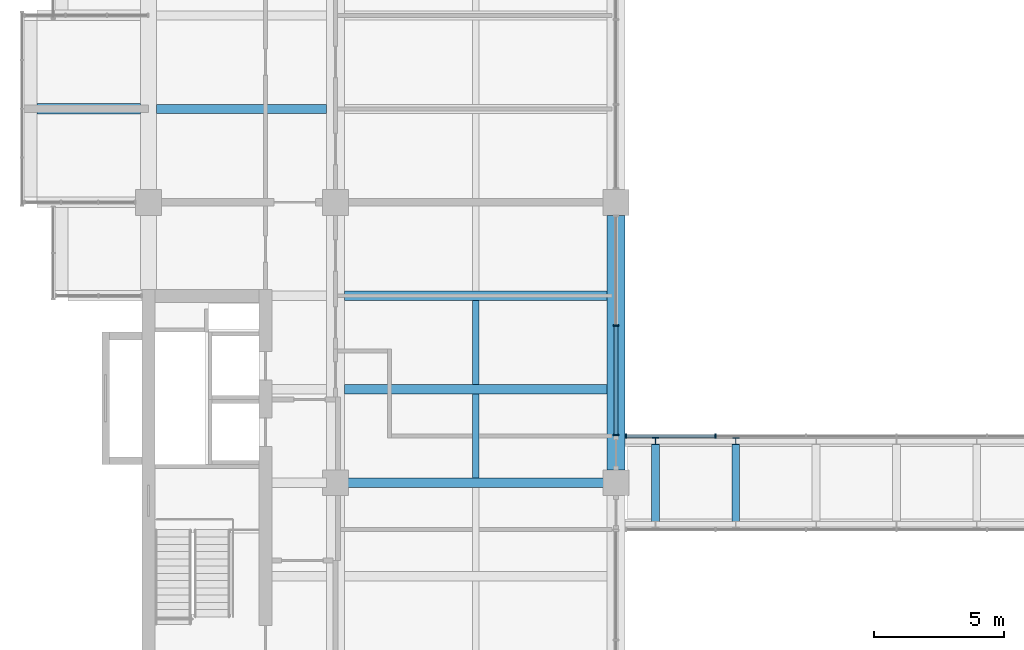
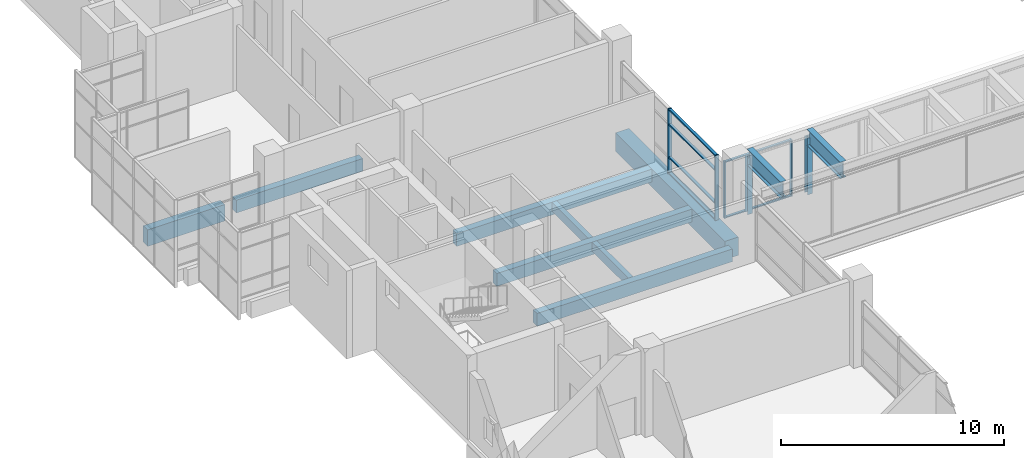
# One storey, part 9 of 35: 14 members, 8 beams, 2 elements without a shape of their own.
"""IFC4 building model written with IfcOpenShell, lengths in metres."""

from ifc_helpers import new_model, si_unit, direction, frame, origin, origin_2d, place, context, subcontext, project, spatial, rectangle, i_section, extrude, material, layer, layer_set, material_profile, profile_set, type_object, element, aggregate, save


model = new_model("IFC4")

# Units and contexts
model_context = context("Model", 3, precision=1e-05, world=origin(), true_north=direction((0.0, 1.0)))
body_context = subcontext(model_context, "Body", "Model", "MODEL_VIEW")
ifc_project = project(units=[si_unit("LENGTHUNIT", "METRE"), si_unit("AREAUNIT", "SQUARE_METRE"), si_unit("VOLUMEUNIT", "CUBIC_METRE"), si_unit("PLANEANGLEUNIT", "RADIAN"), si_unit("MASSUNIT", "GRAM", prefix="KILO")], contexts=[model_context])

# Site, building, storey
site_placement = place(None, origin())
site = spatial("IfcSite", under=ifc_project, at=site_placement, CompositionType="ELEMENT")
building_placement = place(site_placement, origin())
building = spatial("IfcBuilding", under=site, at=building_placement, Name="Basin Gate Institute", CompositionType="ELEMENT")
storey_placement = place(building_placement, frame((0.0, 0.0, 31.800048828125)))
storey = spatial("IfcBuildingStorey", under=building, at=storey_placement, Name="L06", CompositionType="ELEMENT", Elevation=31.800048828125)

# Curtain wall, members
ifc_material_1 = material(Name="Aluminium and glass curtain wall", Category="aluminium")
ifc_layer_1 = layer(ifc_material_1, 0.14990234375)
ifc_layer_set_1 = layer_set([ifc_layer_1], Name="Atrium curtain wall CW81")
curtain_wall_type_1 = type_object("IfcCurtainWallType", Name="Atrium curtain wall CW81", PredefinedType="NOTDEFINED", material=ifc_layer_set_1)
curtain_wall_1_placement = place(storey_placement, origin())
curtain_wall_1 = element("IfcCurtainWall", 1, at=curtain_wall_1_placement, inside=storey, type_object=curtain_wall_type_1, material=ifc_layer_set_1, Name="Bridge glazed enclosure L06 2", PredefinedType="NOTDEFINED")
ifc_material_2 = material(Name="Aluminium mullion", Category="aluminium")
ifc_material_profile_1 = material_profile(ifc_material_2, rectangle(XDim=0.159912109375, YDim=0.06005859375, at=origin_2d()), Name="Atrium mullion MU81 160 x 60")
ifc_profile_set_1 = profile_set([ifc_material_profile_1], Name="Aluminium mullion")
member_type_1 = type_object("IfcMemberType", Name="Atrium mullion MU81", PredefinedType="MULLION", material=ifc_profile_set_1)
member_1_placement = place(storey_placement, frame((79.580078125, 69.300048828125, 0.0), z_axis=(0.0, 0.0, 1.0), x_axis=(0.0, 1.0, 0.0)))
member_1 = element("IfcMember", 2, at=member_1_placement, type_object=member_type_1, material=ifc_profile_set_1, Name="CW81 mullion 1", PredefinedType="MULLION", context=body_context, shape_type="SweptSolid", body=[
    extrude(rectangle(XDim=0.159912109375, YDim=0.06005859375, at=origin_2d()), origin(), (0.0, 0.0, 1.0), 3.099853515625),
])
member_2_placement = place(storey_placement, frame((83.033447265625, 69.300048828125, 0.0), z_axis=(0.0, 0.0, 1.0), x_axis=(0.0, 1.0, 0.0)))
member_2 = element("IfcMember", 3, at=member_2_placement, type_object=member_type_1, material=ifc_profile_set_1, Name="CW81 mullion 2", PredefinedType="MULLION", context=body_context, shape_type="SweptSolid", body=[
    extrude(rectangle(XDim=0.159912109375, YDim=0.06005859375, at=origin_2d()), origin(), (0.0, 0.0, 1.0), 3.099853515625),
])
ifc_material_3 = material(Name="Aluminium transom", Category="aluminium")
ifc_material_profile_2 = material_profile(ifc_material_3, rectangle(XDim=0.1201171875, YDim=0.06005859375, at=origin_2d()), Name="Atrium transom TR81 120 x 60")
ifc_profile_set_2 = profile_set([ifc_material_profile_2], Name="Aluminium transom")
member_type_2 = type_object("IfcMemberType", Name="Atrium transom TR81", PredefinedType="USERDEFINED", material=ifc_profile_set_2)
member_3_placement = place(storey_placement, frame((79.610107421875, 69.300048828125, 0.030029296875), z_axis=(1.0, 0.0, 0.0), x_axis=(0.0, 1.0, 0.0)))
member_3 = element("IfcMember", 4, at=member_3_placement, type_object=member_type_2, material=ifc_profile_set_2, Name="CW81 transom 1.1", ObjectType="TRANSOM", PredefinedType="USERDEFINED", context=body_context, shape_type="SweptSolid", body=[
    extrude(rectangle(XDim=0.1201171875, YDim=0.06005859375, at=origin_2d()), origin(), (0.0, 0.0, 1.0), 3.393310546875),
])
member_4_placement = place(storey_placement, frame((79.610107421875, 69.300048828125, 3.070068359375), z_axis=(1.0, 0.0, 0.0), x_axis=(0.0, 1.0, 0.0)))
member_4 = element("IfcMember", 5, at=member_4_placement, type_object=member_type_2, material=ifc_profile_set_2, Name="CW81 transom 1.2", ObjectType="TRANSOM", PredefinedType="USERDEFINED", context=body_context, shape_type="SweptSolid", body=[
    extrude(rectangle(XDim=0.1201171875, YDim=0.06005859375, at=origin_2d()), origin(), (0.0, 0.0, 1.0), 3.393310546875),
])
aggregate(curtain_wall_1, [member_1, member_2, member_3, member_4])

# Beams
ifc_material_4 = material(Name="Concrete 40 MPa", Category="concrete")
ifc_material_profile_3 = material_profile(ifc_material_4, rectangle(XDim=0.35009765625, YDim=0.699951171875, at=origin_2d()), Name="Beam B1 350 x 700")
ifc_profile_set_3 = profile_set([ifc_material_profile_3], Name="Concrete 40 MPa")
beam_type_1 = type_object("IfcBeamType", Name="Beam B1 R120", PredefinedType="BEAM", material=ifc_profile_set_3)
for number, where, z_axis, x_axis, name in (
    (6, (68.75, 67.5, -0.60009765625), (1.0, 0.0, 0.0), (0.0, 1.0, 0.0), "BEAM/L06/W/EW/10"),
    (7, (68.75, 71.10009765625, -0.60009765625), (1.0, 0.0, 0.0), (0.0, 1.0, 0.0), "BEAM/L06/W/EW/11"),
    (8, (68.75, 74.699951171875, -0.60009765625), (1.0, 0.0, 0.0), (0.0, 1.0, 0.0), "BEAM/L06/W/EW/12"),
):
    element("IfcBeam", number, at=place(storey_placement, frame(where, z_axis=z_axis, x_axis=x_axis)), inside=storey, type_object=beam_type_1, material=ifc_profile_set_3, Name=name, PredefinedType="BEAM", context=body_context, shape_type="SweptSolid", body=[
        extrude(rectangle(XDim=0.35009765625, YDim=0.699951171875, at=origin_2d()), origin(), (0.0, 0.0, 1.0), 10.10009765625),
    ])
beam_1_placement = place(storey_placement, frame((61.5, 81.89990234375, -0.60009765625), z_axis=(1.0, 0.0, 0.0), x_axis=(0.0, 1.0, 0.0)))
element("IfcBeam", 9, at=beam_1_placement, inside=storey, type_object=beam_type_1, material=ifc_profile_set_3, Name="BEAM/L06/W/OUT/14", PredefinedType="BEAM", context=body_context, shape_type="SweptSolid", body=[
    extrude(rectangle(XDim=0.35009765625, YDim=0.699951171875, at=origin_2d()), origin(), (0.0, 0.0, 1.0), 6.550048828125),
])

# Members
ifc_material_5 = material(Name="Structural steel SN490", Category="steel")
ifc_material_profile_4 = material_profile(ifc_material_5, i_section(OverallWidth=0.25, OverallDepth=0.25, WebThickness=0.009033203125, FlangeThickness=0.013916015625, FilletRadius=0.01611328125, at=origin_2d()), Name="H250x250")
ifc_profile_set_4 = profile_set([ifc_material_profile_4], Name="Structural steel SN490")
member_type_3 = type_object("IfcMemberType", Name="Bridge post TC3 R120", PredefinedType="POST", material=ifc_profile_set_4)
for number, where, z_axis, x_axis, name in (
    (10, (80.72509765625, 69.10009765625, 0.0), (0.0, 0.0, 1.0), (1.0, 0.0, 0.0), "Bridge post R120 L06 2.1"),
    (11, (83.816650390625, 69.10009765625, 0.0), (0.0, 0.0, 1.0), (1.0, 0.0, 0.0), "Bridge post R120 L06 2.2"),
):
    element("IfcMember", number, at=place(storey_placement, frame(where, z_axis=z_axis, x_axis=x_axis)), inside=storey, type_object=member_type_3, material=ifc_profile_set_4, Name=name, PredefinedType="POST", context=body_context, shape_type="SweptSolid", body=[
        extrude(i_section(OverallWidth=0.25, OverallDepth=0.25, WebThickness=0.009033203125, FlangeThickness=0.013916015625, FilletRadius=0.01611328125, at=origin_2d()), origin(), (0.0, 0.0, 1.0), 3.099853515625),
    ])
ifc_material_6 = material(Name="Structural steel SN490", Category="steel")
ifc_material_profile_5 = material_profile(ifc_material_6, i_section(OverallWidth=0.300048828125, OverallDepth=0.89990234375, WebThickness=0.01611328125, FlangeThickness=0.028076171875, FilletRadius=0.028076171875, at=origin_2d()), Name="H900x300")
ifc_profile_set_5 = profile_set([ifc_material_profile_5], Name="Structural steel SN490")
member_type_4 = type_object("IfcMemberType", Name="Bridge roof beam SG1 R120", PredefinedType="PURLIN", material=ifc_profile_set_5)
for number, where, z_axis, x_axis, name in (
    (12, (80.72509765625, 66.0, 3.14990234375), (0.0, 1.0, 0.0), (-1.0, 0.0, 0.0), "Bridge roof beam L06 1"),
    (13, (83.816650390625, 66.0, 3.14990234375), (0.0, 1.0, 0.0), (-1.0, 0.0, 0.0), "Bridge roof beam L06 2"),
):
    element("IfcMember", number, at=place(storey_placement, frame(where, z_axis=z_axis, x_axis=x_axis)), inside=storey, type_object=member_type_4, material=ifc_profile_set_5, Name=name, PredefinedType="PURLIN", context=body_context, shape_type="SweptSolid", body=[
        extrude(i_section(OverallWidth=0.300048828125, OverallDepth=0.89990234375, WebThickness=0.01611328125, FlangeThickness=0.028076171875, FilletRadius=0.028076171875, at=origin_2d()), origin(), (0.0, 0.0, 1.0), 3.0),
    ])

# Beams
ifc_material_7 = material(Name="Concrete 50 MPa", Category="concrete")
ifc_material_profile_6 = material_profile(ifc_material_7, rectangle(XDim=0.39990234375, YDim=0.89990234375, at=origin_2d()), Name="Cantilever beam B3 400 x 900")
ifc_profile_set_6 = profile_set([ifc_material_profile_6], Name="Concrete 50 MPa")
beam_type_2 = type_object("IfcBeamType", Name="Cantilever beam B3 R120", PredefinedType="BEAM", material=ifc_profile_set_6)
beam_2_placement = place(storey_placement, frame((56.89990234375, 81.89990234375, -0.699951171875), z_axis=(1.0, 0.0, 0.0), x_axis=(0.0, 1.0, 0.0)))
element("IfcBeam", 14, at=beam_2_placement, inside=storey, type_object=beam_type_2, material=ifc_profile_set_6, Name="BEAM/L06/W/CANT/14", PredefinedType="BEAM", context=body_context, shape_type="SweptSolid", body=[
    extrude(rectangle(XDim=0.39990234375, YDim=0.89990234375, at=origin_2d()), origin(), (0.0, 0.0, 1.0), 4.0),
])
ifc_material_8 = material(Name="Concrete 50 MPa", Category="concrete")
ifc_material_profile_7 = material_profile(ifc_material_8, rectangle(XDim=0.699951171875, YDim=1.0, at=origin_2d()), Name="Girder G1 700 x 1000")
ifc_profile_set_7 = profile_set([ifc_material_profile_7], Name="Concrete 50 MPa")
beam_type_3 = type_object("IfcBeamType", Name="Girder G1 R120", PredefinedType="BEAM", material=ifc_profile_set_7)
beam_3_placement = place(storey_placement, frame((79.199951171875, 68.0, -0.75), z_axis=(0.0, 1.0, 0.0), x_axis=(-1.0, 0.0, 0.0)))
element("IfcBeam", 15, at=beam_3_placement, inside=storey, type_object=beam_type_3, material=ifc_profile_set_7, Name="GIR/L06/W6/4", PredefinedType="BEAM", context=body_context, shape_type="SweptSolid", body=[
    extrude(rectangle(XDim=0.699951171875, YDim=1.0, at=origin_2d()), origin(), (0.0, 0.0, 1.0), 9.800048828125),
])

# Curtain wall, members
ifc_material_9 = material(Name="Aluminium-framed glazing", Category="aluminium")
ifc_layer_2 = layer(ifc_material_9, 0.199951171875)
ifc_layer_set_2 = layer_set([ifc_layer_2], Name="Atrium curtain wall CW2")
curtain_wall_type_2 = type_object("IfcCurtainWallType", Name="Atrium curtain wall CW2", PredefinedType="NOTDEFINED", material=ifc_layer_set_2)
curtain_wall_2_placement = place(storey_placement, origin())
curtain_wall_2 = element("IfcCurtainWall", 16, at=curtain_wall_2_placement, inside=storey, type_object=curtain_wall_type_2, material=ifc_layer_set_2, Name="Atrium curtain wall W wing atrium bay 4 L06 part 1", PredefinedType="NOTDEFINED")
ifc_material_10 = material(Name="Aluminium", Category="aluminium")
ifc_material_profile_8 = material_profile(ifc_material_10, rectangle(XDim=0.199951171875, YDim=0.06005859375, at=origin_2d()), Name="Mullion MU2 200 x 60")
ifc_profile_set_8 = profile_set([ifc_material_profile_8], Name="Aluminium")
member_type_5 = type_object("IfcMemberType", Name="Mullion MU2", PredefinedType="MULLION", material=ifc_profile_set_8)
member_5_placement = place(storey_placement, frame((79.199951171875, 69.330078125, 0.0), z_axis=(0.0, 0.0, 1.0), x_axis=(-1.0, 0.0, 0.0)))
member_5 = element("IfcMember", 17, at=member_5_placement, type_object=member_type_5, material=ifc_profile_set_8, Name="CW2 mullion 1", PredefinedType="MULLION", context=body_context, shape_type="SweptSolid", body=[
    extrude(rectangle(XDim=0.199951171875, YDim=0.06005859375, at=origin_2d()), origin(), (0.0, 0.0, 1.0), 3.550048828125),
])
member_6_placement = place(storey_placement, frame((79.199951171875, 73.550048828125, 0.0), z_axis=(0.0, 0.0, 1.0), x_axis=(-1.0, 0.0, 0.0)))
member_6 = element("IfcMember", 18, at=member_6_placement, type_object=member_type_5, material=ifc_profile_set_8, Name="CW2 mullion 2", PredefinedType="MULLION", context=body_context, shape_type="SweptSolid", body=[
    extrude(rectangle(XDim=0.199951171875, YDim=0.06005859375, at=origin_2d()), origin(), (0.0, 0.0, 1.0), 3.550048828125),
])

# Beams
ifc_material_11 = material(Name="Concrete 40 MPa", Category="concrete")
ifc_material_profile_9 = material_profile(ifc_material_11, rectangle(XDim=0.25, YDim=0.5, at=origin_2d()), Name="Rib R1 250 x 500")
ifc_profile_set_9 = profile_set([ifc_material_profile_9], Name="Concrete 40 MPa")
beam_type_4 = type_object("IfcBeamType", Name="Rib R1 R120", PredefinedType="JOIST", material=ifc_profile_set_9)
for number, where, z_axis, x_axis, name in (
    (19, (73.800048828125, 67.675048828125, -0.5), (0.0, 1.0, 0.0), (-1.0, 0.0, 0.0), "BEAM/L06/W/RIB/10"),
    (20, (73.800048828125, 71.27490234375, -0.5), (0.0, 1.0, 0.0), (-1.0, 0.0, 0.0), "BEAM/L06/W/RIB/11"),
):
    element("IfcBeam", number, at=place(storey_placement, frame(where, z_axis=z_axis, x_axis=x_axis)), inside=storey, type_object=beam_type_4, material=ifc_profile_set_9, Name=name, PredefinedType="JOIST", context=body_context, shape_type="SweptSolid", body=[
        extrude(rectangle(XDim=0.25, YDim=0.5, at=origin_2d()), origin(), (0.0, 0.0, 1.0), 3.25),
    ])

# Member
ifc_material_12 = material(Name="Aluminium", Category="aluminium")
ifc_material_profile_10 = material_profile(ifc_material_12, rectangle(XDim=0.14990234375, YDim=0.06005859375, at=origin_2d()), Name="Transom TR2 150 x 60")
ifc_profile_set_10 = profile_set([ifc_material_profile_10], Name="Aluminium")
member_type_6 = type_object("IfcMemberType", Name="Transom TR2", PredefinedType="USERDEFINED", material=ifc_profile_set_10)
member_7_placement = place(storey_placement, frame((79.199951171875, 69.360107421875, 0.030029296875), z_axis=(0.0, 1.0, 0.0), x_axis=(-1.0, 0.0, 0.0)))
member_7 = element("IfcMember", 21, at=member_7_placement, type_object=member_type_6, material=ifc_profile_set_10, Name="CW2 transom 1.1", ObjectType="TRANSOM", PredefinedType="USERDEFINED", context=body_context, shape_type="SweptSolid", body=[
    extrude(rectangle(XDim=0.14990234375, YDim=0.06005859375, at=origin_2d()), origin(), (0.0, 0.0, 1.0), 4.159912109375),
])

member_8_placement = place(storey_placement, frame((79.199951171875, 69.360107421875, 0.89990234375), z_axis=(0.0, 1.0, 0.0), x_axis=(-1.0, 0.0, 0.0)))
member_8 = element("IfcMember", 22, at=member_8_placement, type_object=member_type_6, material=ifc_profile_set_10, Name="CW2 transom 1.2", ObjectType="TRANSOM", PredefinedType="USERDEFINED", context=body_context, shape_type="SweptSolid", body=[
    extrude(rectangle(XDim=0.14990234375, YDim=0.06005859375, at=origin_2d()), origin(), (0.0, 0.0, 1.0), 4.159912109375),
])

member_9_placement = place(storey_placement, frame((79.199951171875, 69.360107421875, 2.699951171875), z_axis=(0.0, 1.0, 0.0), x_axis=(-1.0, 0.0, 0.0)))
member_9 = element("IfcMember", 23, at=member_9_placement, type_object=member_type_6, material=ifc_profile_set_10, Name="CW2 transom 1.3", ObjectType="TRANSOM", PredefinedType="USERDEFINED", context=body_context, shape_type="SweptSolid", body=[
    extrude(rectangle(XDim=0.14990234375, YDim=0.06005859375, at=origin_2d()), origin(), (0.0, 0.0, 1.0), 4.159912109375),
])

member_10_placement = place(storey_placement, frame((79.199951171875, 69.360107421875, 3.52001953125), z_axis=(0.0, 1.0, 0.0), x_axis=(-1.0, 0.0, 0.0)))
member_10 = element("IfcMember", 24, at=member_10_placement, type_object=member_type_6, material=ifc_profile_set_10, Name="CW2 transom 1.4", ObjectType="TRANSOM", PredefinedType="USERDEFINED", context=body_context, shape_type="SweptSolid", body=[
    extrude(rectangle(XDim=0.14990234375, YDim=0.06005859375, at=origin_2d()), origin(), (0.0, 0.0, 1.0), 4.159912109375),
])

aggregate(curtain_wall_2, [member_5, member_6, member_7, member_8, member_9, member_10])

save(model, "model.ifc")
